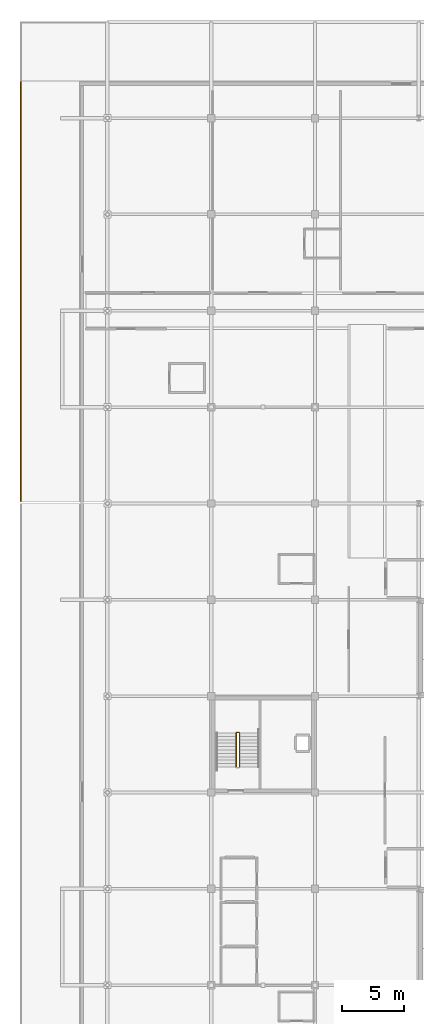
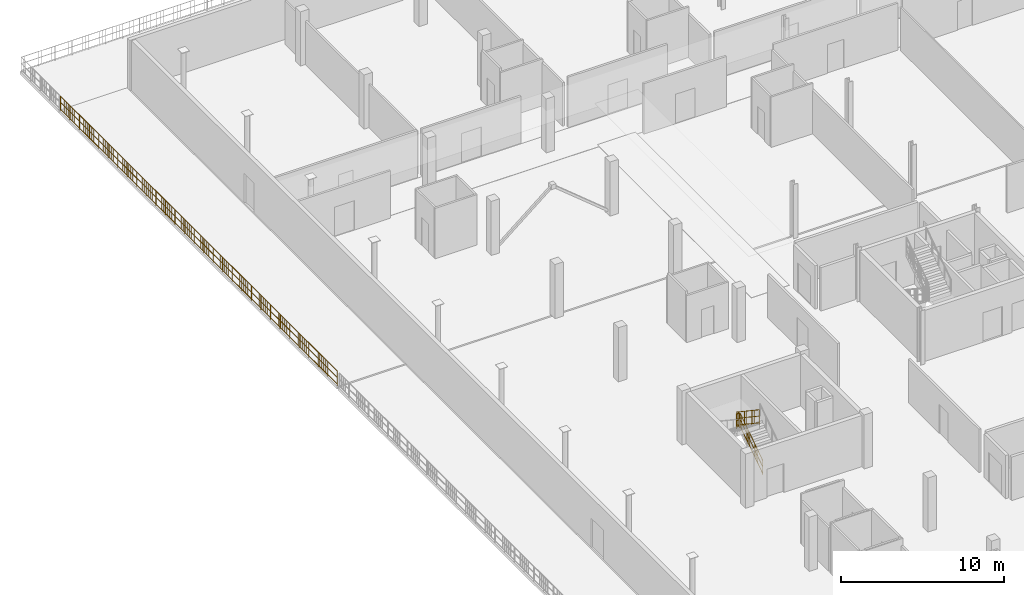
# One storey, part 21 of 25: 4 railings.
"""IFC4 building model written with IfcOpenShell, lengths in metres."""

from ifc_helpers import new_model, si_unit, direction, frame, origin, origin_2d, place, context, subcontext, project, spatial, circle, extrude, material, layer, layer_set, type_object, element, save


model = new_model("IFC4")

# Units and contexts
model_context = context("Model", 3, precision=1e-05, world=origin(), true_north=direction((0.0, 1.0)))
body_context = subcontext(model_context, "Body", "Model", "MODEL_VIEW")
ifc_project = project(units=[si_unit("LENGTHUNIT", "METRE"), si_unit("AREAUNIT", "SQUARE_METRE"), si_unit("VOLUMEUNIT", "CUBIC_METRE"), si_unit("PLANEANGLEUNIT", "RADIAN"), si_unit("MASSUNIT", "GRAM", prefix="KILO")], contexts=[model_context])

# Site, building, storey
site_placement = place(None, origin())
site = spatial("IfcSite", under=ifc_project, at=site_placement, CompositionType="ELEMENT")
building_placement = place(site_placement, origin())
building = spatial("IfcBuilding", under=site, at=building_placement, Name="Nabrawat Pavilion Hospital", CompositionType="ELEMENT")
storey_placement = place(building_placement, frame((0.0, 0.0, 22.949951171875)))
storey = spatial("IfcBuildingStorey", under=building, at=storey_placement, Name="L05", CompositionType="ELEMENT", Elevation=22.949951171875)

# Railings
ifc_material = material(Name="Stainless Steel 316", Category="steel")
ifc_layer_1 = layer(ifc_material, 0.070068359375, Name="Stainless Steel 316")
ifc_layer_set_1 = layer_set([ifc_layer_1], Name="Stainless Steel 316")
railing_type_1 = type_object("IfcRailingType", Name="Exterior Clinical Terrace Safety Guardrail 1100", PredefinedType="GUARDRAIL", material=ifc_layer_set_1)
railing_1_placement = place(storey_placement, frame((135.780029296875, 85.97998046875, 0.0)))
element("IfcRailing", 1, at=railing_1_placement, inside=storey, type_object=railing_type_1, Name="L05 Terrace Edge Safety Guardrail T_L05_WARD_WEST_N West", PredefinedType="GUARDRAIL", context=body_context, shape_type="SweptSolid", body=[
    extrude(circle(Radius=0.02392578125, at=origin_2d()), frame((0.0, 0.0, 1.076171875), z_axis=(0.0, 1.0, 0.0), x_axis=(-1.0, 0.0, 0.0)), (0.0, 0.0, 1.0), 33.9599609375),
    extrude(circle(Radius=0.02392578125, at=origin_2d()), frame((0.0, 0.0, 0.10009765625), z_axis=(0.0, 1.0, 0.0), x_axis=(-1.0, 0.0, 0.0)), (0.0, 0.0, 1.0), 33.9599609375),
    extrude(circle(Radius=0.02392578125, at=origin_2d()), frame((0.0, 0.0, 0.60498046875), z_axis=(0.0, 1.0, 0.0), x_axis=(-1.0, 0.0, 0.0)), (0.0, 0.0, 1.0), 33.9599609375),
    extrude(circle(Radius=0.008056640625, at=origin_2d()), frame((0.0, 0.2392578125, 0.10009765625)), (0.0, 0.0, 1.0), 0.951904296875),
    extrude(circle(Radius=0.008056640625, at=origin_2d()), frame((0.0, 0.478271484375, 0.10009765625)), (0.0, 0.0, 1.0), 0.951904296875),
    extrude(circle(Radius=0.008056640625, at=origin_2d()), frame((0.0, 0.717529296875, 0.10009765625)), (0.0, 0.0, 1.0), 0.951904296875),
    extrude(circle(Radius=0.008056640625, at=origin_2d()), frame((0.0, 0.95654296875, 0.10009765625)), (0.0, 0.0, 1.0), 0.951904296875),
    extrude(circle(Radius=0.008056640625, at=origin_2d()), frame((0.0, 1.434814453125, 0.10009765625)), (0.0, 0.0, 1.0), 0.951904296875),
    extrude(circle(Radius=0.008056640625, at=origin_2d()), frame((0.0, 1.674072265625, 0.10009765625)), (0.0, 0.0, 1.0), 0.951904296875),
    extrude(circle(Radius=0.008056640625, at=origin_2d()), frame((0.0, 1.913330078125, 0.10009765625)), (0.0, 0.0, 1.0), 0.951904296875),
    extrude(circle(Radius=0.008056640625, at=origin_2d()), frame((0.0, 2.15234375, 0.10009765625)), (0.0, 0.0, 1.0), 0.951904296875),
    extrude(circle(Radius=0.008056640625, at=origin_2d()), frame((0.0, 2.630615234375, 0.10009765625)), (0.0, 0.0, 1.0), 0.951904296875),
    extrude(circle(Radius=0.008056640625, at=origin_2d()), frame((0.0, 2.869873046875, 0.10009765625)), (0.0, 0.0, 1.0), 0.951904296875),
    extrude(circle(Radius=0.008056640625, at=origin_2d()), frame((0.0, 3.109130859375, 0.10009765625)), (0.0, 0.0, 1.0), 0.951904296875),
    extrude(circle(Radius=0.008056640625, at=origin_2d()), frame((0.0, 3.34814453125, 0.10009765625)), (0.0, 0.0, 1.0), 0.951904296875),
    extrude(circle(Radius=0.008056640625, at=origin_2d()), frame((0.0, 3.58740234375, 0.10009765625)), (0.0, 0.0, 1.0), 0.951904296875),
    extrude(circle(Radius=0.008056640625, at=origin_2d()), frame((0.0, 3.826416015625, 0.10009765625)), (0.0, 0.0, 1.0), 0.951904296875),
    extrude(circle(Radius=0.008056640625, at=origin_2d()), frame((0.0, 4.065673828125, 0.10009765625)), (0.0, 0.0, 1.0), 0.951904296875),
    extrude(circle(Radius=0.008056640625, at=origin_2d()), frame((0.0, 4.3046875, 0.10009765625)), (0.0, 0.0, 1.0), 0.951904296875),
    extrude(circle(Radius=0.008056640625, at=origin_2d()), frame((0.0, 4.5439453125, 0.10009765625)), (0.0, 0.0, 1.0), 0.951904296875),
    extrude(circle(Radius=0.008056640625, at=origin_2d()), frame((0.0, 4.783203125, 0.10009765625)), (0.0, 0.0, 1.0), 0.951904296875),
    extrude(circle(Radius=0.008056640625, at=origin_2d()), frame((0.0, 5.022216796875, 0.10009765625)), (0.0, 0.0, 1.0), 0.951904296875),
    extrude(circle(Radius=0.008056640625, at=origin_2d()), frame((0.0, 5.261474609375, 0.10009765625)), (0.0, 0.0, 1.0), 0.951904296875),
    extrude(circle(Radius=0.008056640625, at=origin_2d()), frame((0.0, 5.50048828125, 0.10009765625)), (0.0, 0.0, 1.0), 0.951904296875),
    extrude(circle(Radius=0.008056640625, at=origin_2d()), frame((0.0, 5.73974609375, 0.10009765625)), (0.0, 0.0, 1.0), 0.951904296875),
    extrude(circle(Radius=0.008056640625, at=origin_2d()), frame((0.0, 5.978759765625, 0.10009765625)), (0.0, 0.0, 1.0), 0.951904296875),
    extrude(circle(Radius=0.008056640625, at=origin_2d()), frame((0.0, 6.218017578125, 0.10009765625)), (0.0, 0.0, 1.0), 0.951904296875),
    extrude(circle(Radius=0.008056640625, at=origin_2d()), frame((0.0, 6.457275390625, 0.10009765625)), (0.0, 0.0, 1.0), 0.951904296875),
    extrude(circle(Radius=0.008056640625, at=origin_2d()), frame((0.0, 6.6962890625, 0.10009765625)), (0.0, 0.0, 1.0), 0.951904296875),
    extrude(circle(Radius=0.008056640625, at=origin_2d()), frame((0.0, 6.935546875, 0.10009765625)), (0.0, 0.0, 1.0), 0.951904296875),
    extrude(circle(Radius=0.008056640625, at=origin_2d()), frame((0.0, 7.174560546875, 0.10009765625)), (0.0, 0.0, 1.0), 0.951904296875),
    extrude(circle(Radius=0.008056640625, at=origin_2d()), frame((0.0, 7.413818359375, 0.10009765625)), (0.0, 0.0, 1.0), 0.951904296875),
    extrude(circle(Radius=0.008056640625, at=origin_2d()), frame((0.0, 7.65283203125, 0.10009765625)), (0.0, 0.0, 1.0), 0.951904296875),
    extrude(circle(Radius=0.008056640625, at=origin_2d()), frame((0.0, 7.89208984375, 0.10009765625)), (0.0, 0.0, 1.0), 0.951904296875),
    extrude(circle(Radius=0.008056640625, at=origin_2d()), frame((0.0, 8.13134765625, 0.10009765625)), (0.0, 0.0, 1.0), 0.951904296875),
    extrude(circle(Radius=0.008056640625, at=origin_2d()), frame((0.0, 8.370361328125, 0.10009765625)), (0.0, 0.0, 1.0), 0.951904296875),
    extrude(circle(Radius=0.008056640625, at=origin_2d()), frame((0.0, 8.609619140625, 0.10009765625)), (0.0, 0.0, 1.0), 0.951904296875),
    extrude(circle(Radius=0.008056640625, at=origin_2d()), frame((0.0, 8.8486328125, 0.10009765625)), (0.0, 0.0, 1.0), 0.951904296875),
    extrude(circle(Radius=0.008056640625, at=origin_2d()), frame((0.0, 9.087890625, 0.10009765625)), (0.0, 0.0, 1.0), 0.951904296875),
    extrude(circle(Radius=0.008056640625, at=origin_2d()), frame((0.0, 9.566162109375, 0.10009765625)), (0.0, 0.0, 1.0), 0.951904296875),
    extrude(circle(Radius=0.008056640625, at=origin_2d()), frame((0.0, 9.805419921875, 0.10009765625)), (0.0, 0.0, 1.0), 0.951904296875),
    extrude(circle(Radius=0.008056640625, at=origin_2d()), frame((0.0, 10.04443359375, 0.10009765625)), (0.0, 0.0, 1.0), 0.951904296875),
    extrude(circle(Radius=0.008056640625, at=origin_2d()), frame((0.0, 10.28369140625, 0.10009765625)), (0.0, 0.0, 1.0), 0.951904296875),
    extrude(circle(Radius=0.008056640625, at=origin_2d()), frame((0.0, 10.761962890625, 0.10009765625)), (0.0, 0.0, 1.0), 0.951904296875),
    extrude(circle(Radius=0.008056640625, at=origin_2d()), frame((0.0, 11.001220703125, 0.10009765625)), (0.0, 0.0, 1.0), 0.951904296875),
    extrude(circle(Radius=0.008056640625, at=origin_2d()), frame((0.0, 11.240234375, 0.10009765625)), (0.0, 0.0, 1.0), 0.951904296875),
    extrude(circle(Radius=0.008056640625, at=origin_2d()), frame((0.0, 11.4794921875, 0.10009765625)), (0.0, 0.0, 1.0), 0.951904296875),
    extrude(circle(Radius=0.008056640625, at=origin_2d()), frame((0.0, 11.957763671875, 0.10009765625)), (0.0, 0.0, 1.0), 0.951904296875),
    extrude(circle(Radius=0.008056640625, at=origin_2d()), frame((0.0, 12.19677734375, 0.10009765625)), (0.0, 0.0, 1.0), 0.951904296875),
    extrude(circle(Radius=0.008056640625, at=origin_2d()), frame((0.0, 12.43603515625, 0.10009765625)), (0.0, 0.0, 1.0), 0.951904296875),
    extrude(circle(Radius=0.008056640625, at=origin_2d()), frame((0.0, 12.67529296875, 0.10009765625)), (0.0, 0.0, 1.0), 0.951904296875),
    extrude(circle(Radius=0.008056640625, at=origin_2d()), frame((0.0, 13.153564453125, 0.10009765625)), (0.0, 0.0, 1.0), 0.951904296875),
    extrude(circle(Radius=0.008056640625, at=origin_2d()), frame((0.0, 13.392578125, 0.10009765625)), (0.0, 0.0, 1.0), 0.951904296875),
    extrude(circle(Radius=0.008056640625, at=origin_2d()), frame((0.0, 13.6318359375, 0.10009765625)), (0.0, 0.0, 1.0), 0.951904296875),
    extrude(circle(Radius=0.008056640625, at=origin_2d()), frame((0.0, 13.870849609375, 0.10009765625)), (0.0, 0.0, 1.0), 0.951904296875),
    extrude(circle(Radius=0.008056640625, at=origin_2d()), frame((0.0, 14.110107421875, 0.10009765625)), (0.0, 0.0, 1.0), 0.951904296875),
    extrude(circle(Radius=0.008056640625, at=origin_2d()), frame((0.0, 14.349365234375, 0.10009765625)), (0.0, 0.0, 1.0), 0.951904296875),
    extrude(circle(Radius=0.008056640625, at=origin_2d()), frame((0.0, 14.58837890625, 0.10009765625)), (0.0, 0.0, 1.0), 0.951904296875),
    extrude(circle(Radius=0.008056640625, at=origin_2d()), frame((0.0, 14.82763671875, 0.10009765625)), (0.0, 0.0, 1.0), 0.951904296875),
    extrude(circle(Radius=0.008056640625, at=origin_2d()), frame((0.0, 15.066650390625, 0.10009765625)), (0.0, 0.0, 1.0), 0.951904296875),
    extrude(circle(Radius=0.008056640625, at=origin_2d()), frame((0.0, 15.305908203125, 0.10009765625)), (0.0, 0.0, 1.0), 0.951904296875),
    extrude(circle(Radius=0.008056640625, at=origin_2d()), frame((0.0, 15.545166015625, 0.10009765625)), (0.0, 0.0, 1.0), 0.951904296875),
    extrude(circle(Radius=0.008056640625, at=origin_2d()), frame((0.0, 15.7841796875, 0.10009765625)), (0.0, 0.0, 1.0), 0.951904296875),
    extrude(circle(Radius=0.008056640625, at=origin_2d()), frame((0.0, 16.0234375, 0.10009765625)), (0.0, 0.0, 1.0), 0.951904296875),
    extrude(circle(Radius=0.008056640625, at=origin_2d()), frame((0.0, 16.262451171875, 0.10009765625)), (0.0, 0.0, 1.0), 0.951904296875),
    extrude(circle(Radius=0.008056640625, at=origin_2d()), frame((0.0, 16.501708984375, 0.10009765625)), (0.0, 0.0, 1.0), 0.951904296875),
    extrude(circle(Radius=0.008056640625, at=origin_2d()), frame((0.0, 16.74072265625, 0.10009765625)), (0.0, 0.0, 1.0), 0.951904296875),
    extrude(circle(Radius=0.008056640625, at=origin_2d()), frame((0.0, 16.97998046875, 0.10009765625)), (0.0, 0.0, 1.0), 0.951904296875),
    extrude(circle(Radius=0.008056640625, at=origin_2d()), frame((0.0, 17.21923828125, 0.10009765625)), (0.0, 0.0, 1.0), 0.951904296875),
    extrude(circle(Radius=0.008056640625, at=origin_2d()), frame((0.0, 17.458251953125, 0.10009765625)), (0.0, 0.0, 1.0), 0.951904296875),
    extrude(circle(Radius=0.008056640625, at=origin_2d()), frame((0.0, 17.697509765625, 0.10009765625)), (0.0, 0.0, 1.0), 0.951904296875),
    extrude(circle(Radius=0.008056640625, at=origin_2d()), frame((0.0, 17.9365234375, 0.10009765625)), (0.0, 0.0, 1.0), 0.951904296875),
    extrude(circle(Radius=0.008056640625, at=origin_2d()), frame((0.0, 18.17578125, 0.10009765625)), (0.0, 0.0, 1.0), 0.951904296875),
    extrude(circle(Radius=0.008056640625, at=origin_2d()), frame((0.0, 18.414794921875, 0.10009765625)), (0.0, 0.0, 1.0), 0.951904296875),
    extrude(circle(Radius=0.008056640625, at=origin_2d()), frame((0.0, 18.654052734375, 0.10009765625)), (0.0, 0.0, 1.0), 0.951904296875),
    extrude(circle(Radius=0.008056640625, at=origin_2d()), frame((0.0, 18.893310546875, 0.10009765625)), (0.0, 0.0, 1.0), 0.951904296875),
    extrude(circle(Radius=0.008056640625, at=origin_2d()), frame((0.0, 19.13232421875, 0.10009765625)), (0.0, 0.0, 1.0), 0.951904296875),
    extrude(circle(Radius=0.008056640625, at=origin_2d()), frame((0.0, 19.37158203125, 0.10009765625)), (0.0, 0.0, 1.0), 0.951904296875),
    extrude(circle(Radius=0.008056640625, at=origin_2d()), frame((0.0, 19.610595703125, 0.10009765625)), (0.0, 0.0, 1.0), 0.951904296875),
    extrude(circle(Radius=0.008056640625, at=origin_2d()), frame((0.0, 19.849853515625, 0.10009765625)), (0.0, 0.0, 1.0), 0.951904296875),
    extrude(circle(Radius=0.008056640625, at=origin_2d()), frame((0.0, 20.089111328125, 0.10009765625)), (0.0, 0.0, 1.0), 0.951904296875),
    extrude(circle(Radius=0.008056640625, at=origin_2d()), frame((0.0, 20.328125, 0.10009765625)), (0.0, 0.0, 1.0), 0.951904296875),
    extrude(circle(Radius=0.008056640625, at=origin_2d()), frame((0.0, 20.5673828125, 0.10009765625)), (0.0, 0.0, 1.0), 0.951904296875),
    extrude(circle(Radius=0.008056640625, at=origin_2d()), frame((0.0, 20.806396484375, 0.10009765625)), (0.0, 0.0, 1.0), 0.951904296875),
    extrude(circle(Radius=0.008056640625, at=origin_2d()), frame((0.0, 21.28466796875, 0.10009765625)), (0.0, 0.0, 1.0), 0.951904296875),
    extrude(circle(Radius=0.008056640625, at=origin_2d()), frame((0.0, 21.52392578125, 0.10009765625)), (0.0, 0.0, 1.0), 0.951904296875),
    extrude(circle(Radius=0.008056640625, at=origin_2d()), frame((0.0, 21.76318359375, 0.10009765625)), (0.0, 0.0, 1.0), 0.951904296875),
    extrude(circle(Radius=0.008056640625, at=origin_2d()), frame((0.0, 22.002197265625, 0.10009765625)), (0.0, 0.0, 1.0), 0.951904296875),
    extrude(circle(Radius=0.008056640625, at=origin_2d()), frame((0.0, 22.48046875, 0.10009765625)), (0.0, 0.0, 1.0), 0.951904296875),
    extrude(circle(Radius=0.008056640625, at=origin_2d()), frame((0.0, 22.7197265625, 0.10009765625)), (0.0, 0.0, 1.0), 0.951904296875),
    extrude(circle(Radius=0.008056640625, at=origin_2d()), frame((0.0, 22.958740234375, 0.10009765625)), (0.0, 0.0, 1.0), 0.951904296875),
    extrude(circle(Radius=0.008056640625, at=origin_2d()), frame((0.0, 23.197998046875, 0.10009765625)), (0.0, 0.0, 1.0), 0.951904296875),
    extrude(circle(Radius=0.008056640625, at=origin_2d()), frame((0.0, 23.67626953125, 0.10009765625)), (0.0, 0.0, 1.0), 0.951904296875),
    extrude(circle(Radius=0.008056640625, at=origin_2d()), frame((0.0, 23.91552734375, 0.10009765625)), (0.0, 0.0, 1.0), 0.951904296875),
    extrude(circle(Radius=0.008056640625, at=origin_2d()), frame((0.0, 24.154541015625, 0.10009765625)), (0.0, 0.0, 1.0), 0.951904296875),
    extrude(circle(Radius=0.008056640625, at=origin_2d()), frame((0.0, 24.393798828125, 0.10009765625)), (0.0, 0.0, 1.0), 0.951904296875),
    extrude(circle(Radius=0.008056640625, at=origin_2d()), frame((0.0, 24.8720703125, 0.10009765625)), (0.0, 0.0, 1.0), 0.951904296875),
    extrude(circle(Radius=0.008056640625, at=origin_2d()), frame((0.0, 25.111328125, 0.10009765625)), (0.0, 0.0, 1.0), 0.951904296875),
    extrude(circle(Radius=0.008056640625, at=origin_2d()), frame((0.0, 25.350341796875, 0.10009765625)), (0.0, 0.0, 1.0), 0.951904296875),
    extrude(circle(Radius=0.008056640625, at=origin_2d()), frame((0.0, 25.589599609375, 0.10009765625)), (0.0, 0.0, 1.0), 0.951904296875),
    extrude(circle(Radius=0.008056640625, at=origin_2d()), frame((0.0, 25.82861328125, 0.10009765625)), (0.0, 0.0, 1.0), 0.951904296875),
    extrude(circle(Radius=0.008056640625, at=origin_2d()), frame((0.0, 26.06787109375, 0.10009765625)), (0.0, 0.0, 1.0), 0.951904296875),
    extrude(circle(Radius=0.008056640625, at=origin_2d()), frame((0.0, 26.30712890625, 0.10009765625)), (0.0, 0.0, 1.0), 0.951904296875),
    extrude(circle(Radius=0.008056640625, at=origin_2d()), frame((0.0, 26.546142578125, 0.10009765625)), (0.0, 0.0, 1.0), 0.951904296875),
    extrude(circle(Radius=0.008056640625, at=origin_2d()), frame((0.0, 26.785400390625, 0.10009765625)), (0.0, 0.0, 1.0), 0.951904296875),
    extrude(circle(Radius=0.008056640625, at=origin_2d()), frame((0.0, 27.0244140625, 0.10009765625)), (0.0, 0.0, 1.0), 0.951904296875),
    extrude(circle(Radius=0.008056640625, at=origin_2d()), frame((0.0, 27.263671875, 0.10009765625)), (0.0, 0.0, 1.0), 0.951904296875),
    extrude(circle(Radius=0.008056640625, at=origin_2d()), frame((0.0, 27.502685546875, 0.10009765625)), (0.0, 0.0, 1.0), 0.951904296875),
    extrude(circle(Radius=0.008056640625, at=origin_2d()), frame((0.0, 27.741943359375, 0.10009765625)), (0.0, 0.0, 1.0), 0.951904296875),
    extrude(circle(Radius=0.008056640625, at=origin_2d()), frame((0.0, 27.981201171875, 0.10009765625)), (0.0, 0.0, 1.0), 0.951904296875),
    extrude(circle(Radius=0.008056640625, at=origin_2d()), frame((0.0, 28.22021484375, 0.10009765625)), (0.0, 0.0, 1.0), 0.951904296875),
    extrude(circle(Radius=0.008056640625, at=origin_2d()), frame((0.0, 28.45947265625, 0.10009765625)), (0.0, 0.0, 1.0), 0.951904296875),
    extrude(circle(Radius=0.008056640625, at=origin_2d()), frame((0.0, 28.698486328125, 0.10009765625)), (0.0, 0.0, 1.0), 0.951904296875),
    extrude(circle(Radius=0.008056640625, at=origin_2d()), frame((0.0, 28.937744140625, 0.10009765625)), (0.0, 0.0, 1.0), 0.951904296875),
    extrude(circle(Radius=0.008056640625, at=origin_2d()), frame((0.0, 29.1767578125, 0.10009765625)), (0.0, 0.0, 1.0), 0.951904296875),
    extrude(circle(Radius=0.008056640625, at=origin_2d()), frame((0.0, 29.416015625, 0.10009765625)), (0.0, 0.0, 1.0), 0.951904296875),
    extrude(circle(Radius=0.008056640625, at=origin_2d()), frame((0.0, 29.6552734375, 0.10009765625)), (0.0, 0.0, 1.0), 0.951904296875),
    extrude(circle(Radius=0.008056640625, at=origin_2d()), frame((0.0, 29.894287109375, 0.10009765625)), (0.0, 0.0, 1.0), 0.951904296875),
    extrude(circle(Radius=0.008056640625, at=origin_2d()), frame((0.0, 30.133544921875, 0.10009765625)), (0.0, 0.0, 1.0), 0.951904296875),
    extrude(circle(Radius=0.008056640625, at=origin_2d()), frame((0.0, 30.37255859375, 0.10009765625)), (0.0, 0.0, 1.0), 0.951904296875),
    extrude(circle(Radius=0.008056640625, at=origin_2d()), frame((0.0, 30.61181640625, 0.10009765625)), (0.0, 0.0, 1.0), 0.951904296875),
    extrude(circle(Radius=0.008056640625, at=origin_2d()), frame((0.0, 30.850830078125, 0.10009765625)), (0.0, 0.0, 1.0), 0.951904296875),
    extrude(circle(Radius=0.008056640625, at=origin_2d()), frame((0.0, 31.090087890625, 0.10009765625)), (0.0, 0.0, 1.0), 0.951904296875),
    extrude(circle(Radius=0.008056640625, at=origin_2d()), frame((0.0, 31.329345703125, 0.10009765625)), (0.0, 0.0, 1.0), 0.951904296875),
    extrude(circle(Radius=0.008056640625, at=origin_2d()), frame((0.0, 31.8076171875, 0.10009765625)), (0.0, 0.0, 1.0), 0.951904296875),
    extrude(circle(Radius=0.008056640625, at=origin_2d()), frame((0.0, 32.046630859375, 0.10009765625)), (0.0, 0.0, 1.0), 0.951904296875),
    extrude(circle(Radius=0.008056640625, at=origin_2d()), frame((0.0, 32.285888671875, 0.10009765625)), (0.0, 0.0, 1.0), 0.951904296875),
    extrude(circle(Radius=0.008056640625, at=origin_2d()), frame((0.0, 32.525146484375, 0.10009765625)), (0.0, 0.0, 1.0), 0.951904296875),
    extrude(circle(Radius=0.008056640625, at=origin_2d()), frame((0.0, 33.00341796875, 0.10009765625)), (0.0, 0.0, 1.0), 0.951904296875),
    extrude(circle(Radius=0.008056640625, at=origin_2d()), frame((0.0, 33.242431640625, 0.10009765625)), (0.0, 0.0, 1.0), 0.951904296875),
    extrude(circle(Radius=0.008056640625, at=origin_2d()), frame((0.0, 33.481689453125, 0.10009765625)), (0.0, 0.0, 1.0), 0.951904296875),
    extrude(circle(Radius=0.008056640625, at=origin_2d()), frame((0.0, 33.720703125, 0.10009765625)), (0.0, 0.0, 1.0), 0.951904296875),
    extrude(circle(Radius=0.02099609375, at=origin_2d()), origin(), (0.0, 0.0, 1.0), 1.052001953125),
    extrude(circle(Radius=0.02099609375, at=origin_2d()), frame((0.0, 1.171142578125, 0.0)), (0.0, 0.0, 1.0), 1.052001953125),
    extrude(circle(Radius=0.02099609375, at=origin_2d()), frame((0.0, 2.342041015625, 0.0)), (0.0, 0.0, 1.0), 1.052001953125),
    extrude(circle(Radius=0.02099609375, at=origin_2d()), frame((0.0, 3.51318359375, 0.0)), (0.0, 0.0, 1.0), 1.052001953125),
    extrude(circle(Radius=0.02099609375, at=origin_2d()), frame((0.0, 4.68408203125, 0.0)), (0.0, 0.0, 1.0), 1.052001953125),
    extrude(circle(Radius=0.02099609375, at=origin_2d()), frame((0.0, 5.855224609375, 0.0)), (0.0, 0.0, 1.0), 1.052001953125),
    extrude(circle(Radius=0.02099609375, at=origin_2d()), frame((0.0, 7.026123046875, 0.0)), (0.0, 0.0, 1.0), 1.052001953125),
    extrude(circle(Radius=0.02099609375, at=origin_2d()), frame((0.0, 8.197265625, 0.0)), (0.0, 0.0, 1.0), 1.052001953125),
    extrude(circle(Radius=0.02099609375, at=origin_2d()), frame((0.0, 9.3681640625, 0.0)), (0.0, 0.0, 1.0), 1.052001953125),
    extrude(circle(Radius=0.02099609375, at=origin_2d()), frame((0.0, 10.539306640625, 0.0)), (0.0, 0.0, 1.0), 1.052001953125),
    extrude(circle(Radius=0.02099609375, at=origin_2d()), frame((0.0, 11.71044921875, 0.0)), (0.0, 0.0, 1.0), 1.052001953125),
    extrude(circle(Radius=0.02099609375, at=origin_2d()), frame((0.0, 12.88134765625, 0.0)), (0.0, 0.0, 1.0), 1.052001953125),
    extrude(circle(Radius=0.02099609375, at=origin_2d()), frame((0.0, 14.052490234375, 0.0)), (0.0, 0.0, 1.0), 1.052001953125),
    extrude(circle(Radius=0.02099609375, at=origin_2d()), frame((0.0, 15.223388671875, 0.0)), (0.0, 0.0, 1.0), 1.052001953125),
    extrude(circle(Radius=0.02099609375, at=origin_2d()), frame((0.0, 16.39453125, 0.0)), (0.0, 0.0, 1.0), 1.052001953125),
    extrude(circle(Radius=0.02099609375, at=origin_2d()), frame((0.0, 17.5654296875, 0.0)), (0.0, 0.0, 1.0), 1.052001953125),
    extrude(circle(Radius=0.02099609375, at=origin_2d()), frame((0.0, 18.736572265625, 0.0)), (0.0, 0.0, 1.0), 1.052001953125),
    extrude(circle(Radius=0.02099609375, at=origin_2d()), frame((0.0, 19.907470703125, 0.0)), (0.0, 0.0, 1.0), 1.052001953125),
    extrude(circle(Radius=0.02099609375, at=origin_2d()), frame((0.0, 21.07861328125, 0.0)), (0.0, 0.0, 1.0), 1.052001953125),
    extrude(circle(Radius=0.02099609375, at=origin_2d()), frame((0.0, 22.24951171875, 0.0)), (0.0, 0.0, 1.0), 1.052001953125),
    extrude(circle(Radius=0.02099609375, at=origin_2d()), frame((0.0, 23.420654296875, 0.0)), (0.0, 0.0, 1.0), 1.052001953125),
    extrude(circle(Radius=0.02099609375, at=origin_2d()), frame((0.0, 24.591796875, 0.0)), (0.0, 0.0, 1.0), 1.052001953125),
    extrude(circle(Radius=0.02099609375, at=origin_2d()), frame((0.0, 25.7626953125, 0.0)), (0.0, 0.0, 1.0), 1.052001953125),
    extrude(circle(Radius=0.02099609375, at=origin_2d()), frame((0.0, 26.933837890625, 0.0)), (0.0, 0.0, 1.0), 1.052001953125),
    extrude(circle(Radius=0.02099609375, at=origin_2d()), frame((0.0, 28.104736328125, 0.0)), (0.0, 0.0, 1.0), 1.052001953125),
    extrude(circle(Radius=0.02099609375, at=origin_2d()), frame((0.0, 29.27587890625, 0.0)), (0.0, 0.0, 1.0), 1.052001953125),
    extrude(circle(Radius=0.02099609375, at=origin_2d()), frame((0.0, 30.44677734375, 0.0)), (0.0, 0.0, 1.0), 1.052001953125),
    extrude(circle(Radius=0.02099609375, at=origin_2d()), frame((0.0, 31.617919921875, 0.0)), (0.0, 0.0, 1.0), 1.052001953125),
    extrude(circle(Radius=0.02099609375, at=origin_2d()), frame((0.0, 32.788818359375, 0.0)), (0.0, 0.0, 1.0), 1.052001953125),
    extrude(circle(Radius=0.02099609375, at=origin_2d()), frame((0.0, 33.9599609375, 0.0)), (0.0, 0.0, 1.0), 1.052001953125),
])
ifc_layer_2 = layer(ifc_material, 0.050048828125, Name="Stainless Steel 316")
ifc_layer_set_2 = layer_set([ifc_layer_2], Name="Stainless Steel 316")
railing_type_2 = type_object("IfcRailingType", Name="Stair Open-Well Safety Guardrail 1100", PredefinedType="GUARDRAIL", material=ifc_layer_set_2)
railing_2_placement = place(storey_placement, frame((153.47509765625, 64.469970703125, 0.18408203125)))
element("IfcRailing", 2, at=railing_2_placement, inside=storey, type_object=railing_type_2, Name="L05 ST-09 stair guard 1", PredefinedType="GUARDRAIL", context=body_context, shape_type="SweptSolid", body=[
    extrude(circle(Radius=0.02392578125, at=origin_2d()), frame((0.0, 0.0, 1.076171875), z_axis=(0.0, 0.830970512829, 0.556316462824), x_axis=(-1.0, 0.0, 0.0)), (0.0, 0.0, 1.0), 3.309326171875),
    extrude(circle(Radius=0.02392578125, at=origin_2d()), frame((0.0, 0.0, 0.10009765625), z_axis=(0.0, 0.830970512829, 0.556316462824), x_axis=(-1.0, 0.0, 0.0)), (0.0, 0.0, 1.0), 3.309326171875),
    extrude(circle(Radius=0.02392578125, at=origin_2d()), frame((0.0, 0.0, 0.60498046875), z_axis=(0.0, 0.830970512829, 0.556316462824), x_axis=(-1.0, 0.0, 0.0)), (0.0, 0.0, 1.0), 3.309326171875),
    extrude(circle(Radius=0.008056640625, at=origin_2d()), frame((0.0, 0.196533203125, 0.2314453125)), (0.0, 0.0, 1.0), 0.951904296875),
    extrude(circle(Radius=0.008056640625, at=origin_2d()), frame((0.0, 0.392822265625, 0.363037109375)), (0.0, 0.0, 1.0), 0.951904296875),
    extrude(circle(Radius=0.008056640625, at=origin_2d()), frame((0.0, 0.58935546875, 0.49462890625)), (0.0, 0.0, 1.0), 0.951904296875),
    extrude(circle(Radius=0.008056640625, at=origin_2d()), frame((0.0, 0.78564453125, 0.6259765625)), (0.0, 0.0, 1.0), 0.951904296875),
    extrude(circle(Radius=0.008056640625, at=origin_2d()), frame((0.0, 0.982177734375, 0.757568359375)), (0.0, 0.0, 1.0), 0.951904296875),
    extrude(circle(Radius=0.008056640625, at=origin_2d()), frame((0.0, 1.178466796875, 0.888916015625)), (0.0, 0.0, 1.0), 0.951904296875),
    extrude(circle(Radius=0.008056640625, at=origin_2d()), frame((0.0, 1.375, 1.0205078125)), (0.0, 0.0, 1.0), 0.951904296875),
    extrude(circle(Radius=0.008056640625, at=origin_2d()), frame((0.0, 1.571533203125, 1.152099609375)), (0.0, 0.0, 1.0), 0.951904296875),
    extrude(circle(Radius=0.008056640625, at=origin_2d()), frame((0.0, 1.767822265625, 1.283447265625)), (0.0, 0.0, 1.0), 0.951904296875),
    extrude(circle(Radius=0.008056640625, at=origin_2d()), frame((0.0, 1.96435546875, 1.4150390625)), (0.0, 0.0, 1.0), 0.951904296875),
    extrude(circle(Radius=0.008056640625, at=origin_2d()), frame((0.0, 2.16064453125, 1.546630859375)), (0.0, 0.0, 1.0), 0.951904296875),
    extrude(circle(Radius=0.008056640625, at=origin_2d()), frame((0.0, 2.357177734375, 1.677978515625)), (0.0, 0.0, 1.0), 0.951904296875),
    extrude(circle(Radius=0.008056640625, at=origin_2d()), frame((0.0, 2.553466796875, 1.8095703125)), (0.0, 0.0, 1.0), 0.951904296875),
    extrude(circle(Radius=0.02099609375, at=origin_2d()), origin(), (0.0, 0.0, 1.0), 1.052001953125),
    extrude(circle(Radius=0.02099609375, at=origin_2d()), frame((0.0, 0.916748046875, 0.61376953125)), (0.0, 0.0, 1.0), 1.052001953125),
    extrude(circle(Radius=0.02099609375, at=origin_2d()), frame((0.0, 1.833251953125, 1.227294921875)), (0.0, 0.0, 1.0), 1.052001953125),
    extrude(circle(Radius=0.02099609375, at=origin_2d()), frame((0.0, 2.75, 1.841064453125)), (0.0, 0.0, 1.0), 1.052001953125),
])
railing_3_placement = place(storey_placement, frame((153.449951171875, 67.27001953125, 2.025146484375)))
element("IfcRailing", 3, at=railing_3_placement, inside=storey, type_object=railing_type_2, Name="L05 ST-09 stair guard 2", PredefinedType="GUARDRAIL", context=body_context, shape_type="SweptSolid", body=[
    extrude(circle(Radius=0.02392578125, at=origin_2d()), frame((0.0, 0.0, 1.076171875), z_axis=(-1.0, 0.0, 0.0), x_axis=(0.0, -1.0, 0.0)), (0.0, 0.0, 1.0), 0.199951171875),
    extrude(circle(Radius=0.02392578125, at=origin_2d()), frame((0.0, 0.0, 0.10009765625), z_axis=(-1.0, 0.0, 0.0), x_axis=(0.0, -1.0, 0.0)), (0.0, 0.0, 1.0), 0.199951171875),
    extrude(circle(Radius=0.02392578125, at=origin_2d()), frame((0.0, 0.0, 0.60498046875), z_axis=(-1.0, 0.0, 0.0), x_axis=(0.0, -1.0, 0.0)), (0.0, 0.0, 1.0), 0.199951171875),
    extrude(circle(Radius=0.008056640625, at=origin_2d()), frame((-0.10009765625, 0.0, 0.10009765625)), (0.0, 0.0, 1.0), 0.951904296875),
    extrude(circle(Radius=0.02099609375, at=origin_2d()), origin(), (0.0, 0.0, 1.0), 1.052001953125),
    extrude(circle(Radius=0.02099609375, at=origin_2d()), frame((-0.199951171875, 0.0, 0.0)), (0.0, 0.0, 1.0), 1.052001953125),
])
railing_4_placement = place(storey_placement, frame((153.22509765625, 67.219970703125, 2.209228515625)))
element("IfcRailing", 4, at=railing_4_placement, inside=storey, type_object=railing_type_2, Name="L05 ST-09 stair guard 3", PredefinedType="GUARDRAIL", context=body_context, shape_type="SweptSolid", body=[
    extrude(circle(Radius=0.02392578125, at=origin_2d()), frame((0.0, 0.0, 1.076171875), z_axis=(0.0, -0.831004616288, 0.556265519071), x_axis=(1.0, 0.0, 0.0)), (0.0, 0.0, 1.0), 3.309326171875),
    extrude(circle(Radius=0.02392578125, at=origin_2d()), frame((0.0, 0.0, 0.10009765625), z_axis=(0.0, -0.831004616288, 0.556265519071), x_axis=(1.0, 0.0, 0.0)), (0.0, 0.0, 1.0), 3.309326171875),
    extrude(circle(Radius=0.02392578125, at=origin_2d()), frame((0.0, 0.0, 0.60498046875), z_axis=(0.0, -0.831004616288, 0.556265519071), x_axis=(1.0, 0.0, 0.0)), (0.0, 0.0, 1.0), 3.309326171875),
    extrude(circle(Radius=0.008056640625, at=origin_2d()), frame((0.0, -0.196533203125, 0.2314453125)), (0.0, 0.0, 1.0), 0.951904296875),
    extrude(circle(Radius=0.008056640625, at=origin_2d()), frame((0.0, -0.392822265625, 0.363037109375)), (0.0, 0.0, 1.0), 0.951904296875),
    extrude(circle(Radius=0.008056640625, at=origin_2d()), frame((0.0, -0.58935546875, 0.494384765625)), (0.0, 0.0, 1.0), 0.951904296875),
    extrude(circle(Radius=0.008056640625, at=origin_2d()), frame((0.0, -0.78564453125, 0.6259765625)), (0.0, 0.0, 1.0), 0.951904296875),
    extrude(circle(Radius=0.008056640625, at=origin_2d()), frame((0.0, -0.982177734375, 0.75732421875)), (0.0, 0.0, 1.0), 0.951904296875),
    extrude(circle(Radius=0.008056640625, at=origin_2d()), frame((0.0, -1.178466796875, 0.888916015625)), (0.0, 0.0, 1.0), 0.951904296875),
    extrude(circle(Radius=0.008056640625, at=origin_2d()), frame((0.0, -1.375, 1.0205078125)), (0.0, 0.0, 1.0), 0.951904296875),
    extrude(circle(Radius=0.008056640625, at=origin_2d()), frame((0.0, -1.571533203125, 1.15185546875)), (0.0, 0.0, 1.0), 0.951904296875),
    extrude(circle(Radius=0.008056640625, at=origin_2d()), frame((0.0, -1.767822265625, 1.283447265625)), (0.0, 0.0, 1.0), 0.951904296875),
    extrude(circle(Radius=0.008056640625, at=origin_2d()), frame((0.0, -1.96435546875, 1.414794921875)), (0.0, 0.0, 1.0), 0.951904296875),
    extrude(circle(Radius=0.008056640625, at=origin_2d()), frame((0.0, -2.16064453125, 1.54638671875)), (0.0, 0.0, 1.0), 0.951904296875),
    extrude(circle(Radius=0.008056640625, at=origin_2d()), frame((0.0, -2.357177734375, 1.677734375)), (0.0, 0.0, 1.0), 0.951904296875),
    extrude(circle(Radius=0.008056640625, at=origin_2d()), frame((0.0, -2.553466796875, 1.809326171875)), (0.0, 0.0, 1.0), 0.951904296875),
    extrude(circle(Radius=0.02099609375, at=origin_2d()), origin(), (0.0, 0.0, 1.0), 1.052001953125),
    extrude(circle(Radius=0.02099609375, at=origin_2d()), frame((0.0, -0.916748046875, 0.613525390625)), (0.0, 0.0, 1.0), 1.052001953125),
    extrude(circle(Radius=0.02099609375, at=origin_2d()), frame((0.0, -1.833251953125, 1.227294921875)), (0.0, 0.0, 1.0), 1.052001953125),
    extrude(circle(Radius=0.02099609375, at=origin_2d()), frame((0.0, -2.75, 1.8408203125)), (0.0, 0.0, 1.0), 1.052001953125),
])

save(model, "model.ifc")
